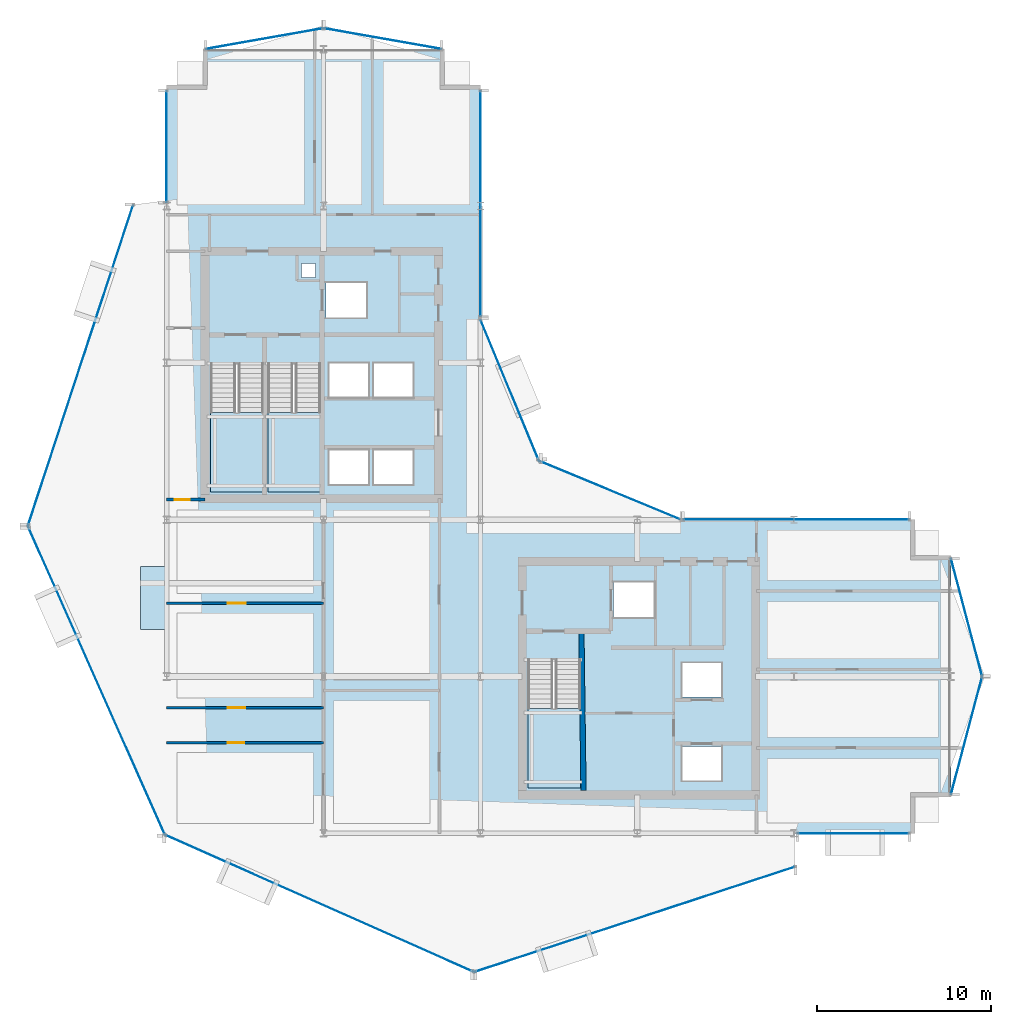
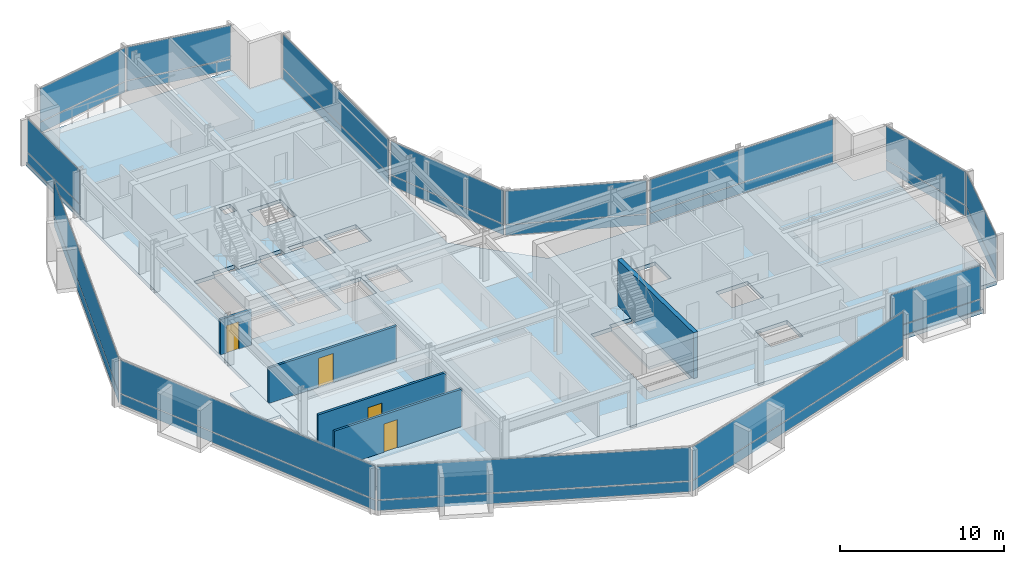
# One storey, part 21 of 29: 28 plates, 5 slabs, 5 walls, 4 doors, 4 openings, 17 elements without a shape of their own.
"""IFC4 building model written with IfcOpenShell, lengths in metres."""

import ifcopenshell
import ifcopenshell.guid

model = None  # the IFC model being written
_history = None  # IfcOwnerHistory: only IFC2X3 demands one
_inside = {}  # id of a spatial element -> (the spatial element, [elements in it])
_under = {}  # id of a project, library or spatial element -> (it, [spatial elements below it])
_declared = {}  # id of a project -> (the project, [libraries it declares])
_typed = {}  # id of a type object -> (the type object, [elements of that type])
_made_of = {}  # id of a material, layer set ... -> (it, [elements and type objects made of it])


def new_model(schema):
    """Start an empty IFC model of exactly this schema.

    Asked for "IFC4X3", IfcOpenShell would pick the latest addendum, in which some entities
    have other attributes; the version numbers below select the first issue.
    IFC2X3 requires an IfcOwnerHistory on every rooted entity: one is made here for all.
    """
    global model, _history
    if schema == "IFC4X3":
        model = ifcopenshell.file(schema_version=(4, 3, 0, 0))
    else:
        model = ifcopenshell.file(schema=schema)
    _inside.clear()
    _under.clear()
    _declared.clear()
    _typed.clear()
    _made_of.clear()
    _history = None
    if model.schema == "IFC2X3":
        org = make("IfcOrganization", Name="unknown")
        user = make(
            "IfcPersonAndOrganization",
            ThePerson=make("IfcPerson", FamilyName="unknown"),
            TheOrganization=org,
        )
        app = make(
            "IfcApplication",
            ApplicationDeveloper=org,
            Version="unknown",
            ApplicationFullName="unknown",
            ApplicationIdentifier="unknown",
        )
        _history = make(
            "IfcOwnerHistory",
            OwningUser=user,
            OwningApplication=app,
            ChangeAction="ADDED",
            CreationDate=0,
        )
    return model


def make(cls, **values):
    """One entity of the class cls with the attributes given. An attribute that is None is left unset."""
    return model.create_entity(
        cls, **{name: value for name, value in values.items() if value is not None}
    )


def rooted(cls, **values):
    """An entity with a GlobalId (a new one), such as an element, a storey or a relation."""
    return make(cls, GlobalId=ifcopenshell.guid.new(), OwnerHistory=_history, **values)


def si_unit(unit_type, name, prefix=None):
    """IfcSIUnit, for example si_unit("LENGTHUNIT", "METRE", prefix="MILLI")."""
    return make("IfcSIUnit", UnitType=unit_type, Prefix=prefix, Name=name)


def assignment(units):
    """IfcUnitAssignment: the units of a project."""
    return None if units is None else make("IfcUnitAssignment", Units=units)


def point(xyz):
    """IfcCartesianPoint."""
    return None if xyz is None else make("IfcCartesianPoint", Coordinates=xyz)


def direction(xyz):
    """IfcDirection."""
    return None if xyz is None else make("IfcDirection", DirectionRatios=xyz)


def frame(location, z_axis=None, x_axis=None):
    """IfcAxis2Placement3D, a coordinate frame: its origin and axes. An axis left out is left unset."""
    return make(
        "IfcAxis2Placement3D",
        Location=point(location),
        Axis=direction(z_axis),
        RefDirection=direction(x_axis),
    )


def frame_2d(location, x_axis=None):
    """IfcAxis2Placement2D, a coordinate frame in the plane: its origin and x axis."""
    return make(
        "IfcAxis2Placement2D", Location=point(location), RefDirection=direction(x_axis)
    )


def origin():
    """The frame at (0, 0, 0) with its axes left unset."""
    return frame((0.0, 0.0, 0.0))


def origin_2d():
    """The frame at (0, 0) in the plane with its x axis left unset."""
    return frame_2d((0.0, 0.0))


def place(relative_to, where):
    """IfcLocalPlacement: puts the frame where relative to a parent placement (None: the world)."""
    return make(
        "IfcLocalPlacement", PlacementRelTo=relative_to, RelativePlacement=where
    )


def context(
    kind, dimensions, precision=None, world=None, true_north=None, identifier=None
):
    """IfcGeometricRepresentationContext, for example the 3D "Model" context."""
    return make(
        "IfcGeometricRepresentationContext",
        ContextIdentifier=identifier,
        ContextType=kind,
        CoordinateSpaceDimension=dimensions,
        Precision=precision,
        WorldCoordinateSystem=world,
        TrueNorth=true_north,
    )


def subcontext(parent, identifier, kind, view, scale=None):
    """IfcGeometricRepresentationSubContext, for example "Body" below "Model"."""
    return make(
        "IfcGeometricRepresentationSubContext",
        ContextIdentifier=identifier,
        ContextType=kind,
        ParentContext=parent,
        TargetScale=scale,
        TargetView=view,
    )


def project(units=None, contexts=None):
    """IfcProject with its units and contexts."""
    return rooted(
        "IfcProject",
        Name="project",
        RepresentationContexts=contexts,
        UnitsInContext=assignment(units),
    )


def spatial(cls, under=None, at=None, **own):
    """A site, building, storey or space (cls), placed at a placement, below another one or the project."""
    s = rooted(cls, ObjectPlacement=at, **own)
    if under is not None:
        _under.setdefault(under.id(), (under, []))[1].append(s)
    return s


def polyline(points):
    """IfcPolyline through the points."""
    return make("IfcPolyline", Points=[point(p) for p in points])


def profile(cls, at=None, kind="AREA", **sizes):
    """A parametric profile (cls). Its sizes go by their IFC names, for example OverallWidth=200.0."""
    return make(cls, ProfileType=kind, Position=at, **sizes)


def rectangle(**sizes):
    """IfcRectangleProfileDef."""
    return profile("IfcRectangleProfileDef", **sizes)


def outline(outer, holes=None, kind="AREA"):
    """IfcArbitraryClosedProfileDef: a profile drawn as a closed curve; with holes, ...WithVoids."""
    if holes is None:
        return make("IfcArbitraryClosedProfileDef", ProfileType=kind, OuterCurve=outer)
    return make(
        "IfcArbitraryProfileDefWithVoids",
        ProfileType=kind,
        OuterCurve=outer,
        InnerCurves=holes,
    )


def extrude(swept, where, along, depth):
    """IfcExtrudedAreaSolid: the profile swept, set in the frame where, extruded along a direction by depth."""
    return make(
        "IfcExtrudedAreaSolid",
        SweptArea=swept,
        Position=where,
        ExtrudedDirection=direction(along),
        Depth=depth,
    )


def shape(context_of_items, identifier, shape_type, items):
    """IfcShapeRepresentation: the items that make up one representation, for example the "Body"."""
    return make(
        "IfcShapeRepresentation",
        ContextOfItems=context_of_items,
        RepresentationIdentifier=identifier,
        RepresentationType=shape_type,
        Items=items,
    )


def material(Name=None, Category=None):
    """IfcMaterial."""
    return make("IfcMaterial", Name=Name, Category=Category)


def layer(
    of_material, thickness, ventilated=None, Name=None, Category=None, Priority=None
):
    """IfcMaterialLayer: one layer of a wall or slab, of a material (None: an air gap)."""
    return make(
        "IfcMaterialLayer",
        Material=of_material,
        LayerThickness=thickness,
        IsVentilated=ventilated,
        Name=Name,
        Category=Category,
        Priority=Priority,
    )


def layer_set(layers, Name=None):
    """IfcMaterialLayerSet."""
    return make("IfcMaterialLayerSet", MaterialLayers=layers, LayerSetName=Name)


def made_of(thing, what):
    """Note that an element or type object is made of a material, layer set ...; save() writes the relation."""
    if what is not None:
        _made_of.setdefault(what.id(), (what, []))[1].append(thing)
    return thing


def type_object(cls, material=None, **own):
    """A type object (cls), such as IfcWallType, which elements share."""
    return made_of(rooted(cls, **own), material)


def element(
    cls,
    number,
    at=None,
    inside=None,
    cuts=None,
    type_object=None,
    material=None,
    context=None,
    identifier="Body",
    shape_type=None,
    held_by="IfcProductDefinitionShape",
    body=None,
    shapes=None,
    **own,
):
    """One element of the class cls, such as IfcWall. Its Tag is "e" and its number.

    at: its placement. inside: the storey or other place that contains it. cuts: it is an
    opening in that element (IfcRelVoidsElement). A single representation is given by context,
    identifier, shape_type and body (its items); several are given by shapes. held_by: the class
    of the entity that holds the representations. save() writes the other relations.
    """
    e = rooted(cls, Tag="e%d" % number, ObjectPlacement=at, **own)
    if body is not None:
        shapes = [shape(context, identifier, shape_type, body)]
    if shapes is not None:
        e.Representation = make(held_by, Representations=shapes)
    if inside is not None:
        _inside.setdefault(inside.id(), (inside, []))[1].append(e)
    if cuts is not None:
        rooted(
            "IfcRelVoidsElement", RelatingBuildingElement=cuts, RelatedOpeningElement=e
        )
    if type_object is not None:
        _typed.setdefault(type_object.id(), (type_object, []))[1].append(e)
    return made_of(e, material)


def fill(opening, filler):
    """IfcRelFillsElement: the door or window that sits in an opening."""
    return rooted(
        "IfcRelFillsElement",
        RelatingOpeningElement=opening,
        RelatedBuildingElement=filler,
    )


def aggregate(whole, parts):
    """IfcRelAggregates: a whole, such as a stair, and the parts it consists of."""
    return rooted("IfcRelAggregates", RelatingObject=whole, RelatedObjects=parts)


def save(model, path):
    """Write the relations noted so far, then the file.

    IfcRelAggregates (storeys below a building ...), IfcRelContainedInSpatialStructure (elements
    in a storey), IfcRelDefinesByType, IfcRelAssociatesMaterial and IfcRelDeclares: one each for
    every whole, place, type object, material and project.
    """
    for whole, parts in _under.values():
        aggregate(whole, parts)
    for where, things in _inside.values():
        rooted(
            "IfcRelContainedInSpatialStructure",
            RelatedElements=things,
            RelatingStructure=where,
        )
    for kind, things in _typed.values():
        rooted("IfcRelDefinesByType", RelatedObjects=things, RelatingType=kind)
    for what, things in _made_of.values():
        rooted("IfcRelAssociatesMaterial", RelatedObjects=things, RelatingMaterial=what)
    for by, libraries in _declared.values():
        rooted("IfcRelDeclares", RelatingContext=by, RelatedDefinitions=libraries)
    model.write(path)


model = new_model("IFC4")

# Units and contexts
model_context = context("Model", 3, precision=1e-05, world=origin(), true_north=direction((0.0, 1.0)))
body_context = subcontext(model_context, "Body", "Model", "MODEL_VIEW")
ifc_project = project(units=[si_unit("LENGTHUNIT", "METRE"), si_unit("AREAUNIT", "SQUARE_METRE"), si_unit("VOLUMEUNIT", "CUBIC_METRE"), si_unit("PLANEANGLEUNIT", "RADIAN"), si_unit("MASSUNIT", "GRAM", prefix="KILO")], contexts=[model_context])

# Site, building, storey
site_placement = place(None, origin())
site = spatial("IfcSite", under=ifc_project, at=site_placement, CompositionType="ELEMENT")
building_placement = place(site_placement, origin())
building = spatial("IfcBuilding", under=site, at=building_placement, Name="Solvaryn Broadcast Tower", CompositionType="ELEMENT")
storey_placement = place(building_placement, frame((0.0, 0.0, 143.300048828125)))
storey = spatial("IfcBuildingStorey", under=building, at=storey_placement, Name="L35", CompositionType="ELEMENT", Elevation=143.300048828125)

# Curtain wall, plates
ifc_material_1 = material(Name="Aluminium and Terracotta Unitised Curtain Wall", Category="masonry")
ifc_layer_1 = layer(ifc_material_1, 0.199951171875)
ifc_layer_set_1 = layer_set([ifc_layer_1], Name="CW-SYS2-LOWMID")
curtain_wall_type = type_object("IfcCurtainWallType", Name="CW-SYS2-LOWMID", PredefinedType="NOTDEFINED", material=ifc_layer_set_1)
curtain_wall_1_placement = place(storey_placement, origin())
curtain_wall_1 = element("IfcCurtainWall", 1, at=curtain_wall_1_placement, inside=storey, type_object=curtain_wall_type, Name="L35 Curtain Wall DR1", PredefinedType="NOTDEFINED")
ifc_material_2 = material(Name="Low-Iron Insulated Vision Glass", Category="glass")
ifc_layer_2 = layer(ifc_material_2, 0.035888671875)
ifc_layer_set_2 = layer_set([ifc_layer_2], Name="CW-PNL-VISION")
plate_type = type_object("IfcPlateType", Name="CW-PNL-VISION", PredefinedType="CURTAIN_PANEL", material=ifc_layer_set_2)
plate_1_placement = place(storey_placement, frame((4.056396484375, 35.8515625, 0.06005859375), z_axis=(0.0, 0.0, 1.0), x_axis=(-0.311646057547, -0.950198260794, 0.0)))
plate_1 = element("IfcPlate", 2, at=plate_1_placement, type_object=plate_type, Name="CWS2 panel 1.1", PredefinedType="CURTAIN_PANEL", context=body_context, shape_type="SweptSolid", body=[
    extrude(rectangle(XDim=19.277099609375, YDim=0.028076171875, at=origin_2d()), origin(), (0.0, 0.0, 1.0), 0.760009765625),
])
plate_2_placement = place(storey_placement, frame((4.056396484375, 35.8515625, 0.8798828125), z_axis=(0.0, 0.0, 1.0), x_axis=(-0.311646057547, -0.950198260794, 0.0)))
plate_2 = element("IfcPlate", 3, at=plate_2_placement, type_object=plate_type, Name="CWS2 panel 1.2", PredefinedType="CURTAIN_PANEL", context=body_context, shape_type="SweptSolid", body=[
    extrude(rectangle(XDim=19.277099609375, YDim=0.028076171875, at=origin_2d()), origin(), (0.0, 0.0, 1.0), 2.47998046875),
])
aggregate(curtain_wall_1, [plate_1, plate_2])

curtain_wall_2_placement = place(storey_placement, origin())
curtain_wall_2 = element("IfcCurtainWall", 4, at=curtain_wall_2_placement, inside=storey, type_object=curtain_wall_type, Name="L35 Curtain Wall DR2", PredefinedType="NOTDEFINED")
plate_3_placement = place(storey_placement, frame((4.970947265625, 17.77197265625, 0.06005859375), z_axis=(0.0, 0.0, 1.0), x_axis=(0.405918429309, -0.913909311008, 0.0)))
plate_3 = element("IfcPlate", 5, at=plate_3_placement, type_object=plate_type, Name="CWS2 panel 1.1", PredefinedType="CURTAIN_PANEL", context=body_context, shape_type="SweptSolid", body=[
    extrude(rectangle(XDim=19.278076171875, YDim=0.028076171875, at=origin_2d()), origin(), (0.0, 0.0, 1.0), 0.760009765625),
])
plate_4_placement = place(storey_placement, frame((4.970947265625, 17.77197265625, 0.8798828125), z_axis=(0.0, 0.0, 1.0), x_axis=(0.405918429309, -0.913909311008, 0.0)))
plate_4 = element("IfcPlate", 6, at=plate_4_placement, type_object=plate_type, Name="CWS2 panel 1.2", PredefinedType="CURTAIN_PANEL", context=body_context, shape_type="SweptSolid", body=[
    extrude(rectangle(XDim=19.278076171875, YDim=0.028076171875, at=origin_2d()), origin(), (0.0, 0.0, 1.0), 2.47998046875),
])
aggregate(curtain_wall_2, [plate_3, plate_4])

curtain_wall_3_placement = place(storey_placement, origin())
curtain_wall_3 = element("IfcCurtainWall", 7, at=curtain_wall_3_placement, inside=storey, type_object=curtain_wall_type, Name="L35 Curtain Wall DR3", PredefinedType="NOTDEFINED")
plate_5_placement = place(storey_placement, frame((17.77197265625, 4.970947265625, 0.06005859375), z_axis=(0.0, 0.0, 1.0), x_axis=(0.913909311008, -0.405918429309, 0.0)))
plate_5 = element("IfcPlate", 8, at=plate_5_placement, type_object=plate_type, Name="CWS2 panel 1.1", PredefinedType="CURTAIN_PANEL", context=body_context, shape_type="SweptSolid", body=[
    extrude(rectangle(XDim=19.278076171875, YDim=0.028076171875, at=origin_2d()), origin(), (0.0, 0.0, 1.0), 0.760009765625),
])
plate_6_placement = place(storey_placement, frame((17.77197265625, 4.970947265625, 0.8798828125), z_axis=(0.0, 0.0, 1.0), x_axis=(0.913909311008, -0.405918429309, 0.0)))
plate_6 = element("IfcPlate", 9, at=plate_6_placement, type_object=plate_type, Name="CWS2 panel 1.2", PredefinedType="CURTAIN_PANEL", context=body_context, shape_type="SweptSolid", body=[
    extrude(rectangle(XDim=19.278076171875, YDim=0.028076171875, at=origin_2d()), origin(), (0.0, 0.0, 1.0), 2.47998046875),
])
aggregate(curtain_wall_3, [plate_5, plate_6])

curtain_wall_4_placement = place(storey_placement, origin())
curtain_wall_4 = element("IfcCurtainWall", 10, at=curtain_wall_4_placement, inside=storey, type_object=curtain_wall_type, Name="L35 Curtain Wall DR4", PredefinedType="NOTDEFINED")
plate_7_placement = place(storey_placement, frame((35.8515625, 4.056396484375, 0.06005859375), z_axis=(0.0, 0.0, 1.0), x_axis=(0.950198260794, 0.311646057547, 0.0)))
plate_7 = element("IfcPlate", 11, at=plate_7_placement, type_object=plate_type, Name="CWS2 panel 1.1", PredefinedType="CURTAIN_PANEL", context=body_context, shape_type="SweptSolid", body=[
    extrude(rectangle(XDim=19.277099609375, YDim=0.028076171875, at=origin_2d()), origin(), (0.0, 0.0, 1.0), 0.760009765625),
])
plate_8_placement = place(storey_placement, frame((35.8515625, 4.056396484375, 0.8798828125), z_axis=(0.0, 0.0, 1.0), x_axis=(0.950198260794, 0.311646057547, 0.0)))
plate_8 = element("IfcPlate", 12, at=plate_8_placement, type_object=plate_type, Name="CWS2 panel 1.2", PredefinedType="CURTAIN_PANEL", context=body_context, shape_type="SweptSolid", body=[
    extrude(rectangle(XDim=19.277099609375, YDim=0.028076171875, at=origin_2d()), origin(), (0.0, 0.0, 1.0), 2.47998046875),
])
aggregate(curtain_wall_4, [plate_7, plate_8])

curtain_wall_5_placement = place(storey_placement, origin())
curtain_wall_5 = element("IfcCurtainWall", 13, at=curtain_wall_5_placement, inside=storey, type_object=curtain_wall_type, Name="L35 Curtain Wall W2", PredefinedType="NOTDEFINED")
plate_9_placement = place(storey_placement, frame((9.0, 48.408447265625, 0.06005859375), z_axis=(0.0, 0.0, 1.0), x_axis=(0.0, 1.0, 0.0)))
plate_9 = element("IfcPlate", 14, at=plate_9_placement, type_object=plate_type, Name="CWS2 panel 1.1", PredefinedType="CURTAIN_PANEL", context=body_context, shape_type="SweptSolid", body=[
    extrude(rectangle(XDim=6.363037109375, YDim=0.028076171875, at=origin_2d()), origin(), (0.0, 0.0, 1.0), 0.760009765625),
])
plate_10_placement = place(storey_placement, frame((9.0, 48.408447265625, 0.8798828125), z_axis=(0.0, 0.0, 1.0), x_axis=(0.0, 1.0, 0.0)))
plate_10 = element("IfcPlate", 15, at=plate_10_placement, type_object=plate_type, Name="CWS2 panel 1.2", PredefinedType="CURTAIN_PANEL", context=body_context, shape_type="SweptSolid", body=[
    extrude(rectangle(XDim=6.363037109375, YDim=0.028076171875, at=origin_2d()), origin(), (0.0, 0.0, 1.0), 2.47998046875),
])
aggregate(curtain_wall_5, [plate_9, plate_10])

curtain_wall_6_placement = place(storey_placement, origin())
curtain_wall_6 = element("IfcCurtainWall", 16, at=curtain_wall_6_placement, inside=storey, type_object=curtain_wall_type, Name="L35 Curtain Wall IV", PredefinedType="NOTDEFINED")
plate_11_placement = place(storey_placement, frame((27.0, 45.125, 0.06005859375), z_axis=(0.0, 0.0, 1.0), x_axis=(0.0, -1.0, 0.0)))
plate_11 = element("IfcPlate", 17, at=plate_11_placement, type_object=plate_type, Name="CWS2 panel 1.1", PredefinedType="CURTAIN_PANEL", context=body_context, shape_type="SweptSolid", body=[
    extrude(rectangle(XDim=12.929931640625, YDim=0.028076171875, at=origin_2d()), origin(), (0.0, 0.0, 1.0), 0.760009765625),
])
plate_12_placement = place(storey_placement, frame((27.0, 45.125, 0.8798828125), z_axis=(0.0, 0.0, 1.0), x_axis=(0.0, -1.0, 0.0)))
plate_12 = element("IfcPlate", 18, at=plate_12_placement, type_object=plate_type, Name="CWS2 panel 1.2", PredefinedType="CURTAIN_PANEL", context=body_context, shape_type="SweptSolid", body=[
    extrude(rectangle(XDim=12.929931640625, YDim=0.028076171875, at=origin_2d()), origin(), (0.0, 0.0, 1.0), 2.47998046875),
])
aggregate(curtain_wall_6, [plate_11, plate_12])

curtain_wall_7_placement = place(storey_placement, origin())
curtain_wall_7 = element("IfcCurtainWall", 19, at=curtain_wall_7_placement, inside=storey, type_object=curtain_wall_type, Name="L35 Curtain Wall CN1", PredefinedType="NOTDEFINED")
plate_13_placement = place(storey_placement, frame((34.43408203125, 28.68408203125, 0.06005859375), z_axis=(0.0, 0.0, 1.0), x_axis=(-0.923894983957, 0.382646127145, 0.0)))
plate_13 = element("IfcPlate", 20, at=plate_13_placement, type_object=plate_type, Name="CWS2 panel 1.1", PredefinedType="CURTAIN_PANEL", context=body_context, shape_type="SweptSolid", body=[
    extrude(rectangle(XDim=8.681884765625, YDim=0.028076171875, at=origin_2d()), origin(), (0.0, 0.0, 1.0), 0.760009765625),
])
plate_14_placement = place(storey_placement, frame((34.43408203125, 28.68408203125, 0.8798828125), z_axis=(0.0, 0.0, 1.0), x_axis=(-0.923894983957, 0.382646127145, 0.0)))
plate_14 = element("IfcPlate", 21, at=plate_14_placement, type_object=plate_type, Name="CWS2 panel 1.2", PredefinedType="CURTAIN_PANEL", context=body_context, shape_type="SweptSolid", body=[
    extrude(rectangle(XDim=8.681884765625, YDim=0.028076171875, at=origin_2d()), origin(), (0.0, 0.0, 1.0), 2.47998046875),
])
aggregate(curtain_wall_7, [plate_13, plate_14])

curtain_wall_8_placement = place(storey_placement, origin())
curtain_wall_8 = element("IfcCurtainWall", 22, at=curtain_wall_8_placement, inside=storey, type_object=curtain_wall_type, Name="L35 Curtain Wall CN2", PredefinedType="NOTDEFINED")
plate_15_placement = place(storey_placement, frame((28.68408203125, 34.43408203125, 0.06005859375), z_axis=(0.0, 0.0, 1.0), x_axis=(-0.382646127145, 0.923894983957, 0.0)))
plate_15 = element("IfcPlate", 23, at=plate_15_placement, type_object=plate_type, Name="CWS2 panel 1.1", PredefinedType="CURTAIN_PANEL", context=body_context, shape_type="SweptSolid", body=[
    extrude(rectangle(XDim=8.681884765625, YDim=0.028076171875, at=origin_2d()), origin(), (0.0, 0.0, 1.0), 0.760009765625),
])
plate_16_placement = place(storey_placement, frame((28.68408203125, 34.43408203125, 0.8798828125), z_axis=(0.0, 0.0, 1.0), x_axis=(-0.382646127145, 0.923894983957, 0.0)))
plate_16 = element("IfcPlate", 24, at=plate_16_placement, type_object=plate_type, Name="CWS2 panel 1.2", PredefinedType="CURTAIN_PANEL", context=body_context, shape_type="SweptSolid", body=[
    extrude(rectangle(XDim=8.681884765625, YDim=0.028076171875, at=origin_2d()), origin(), (0.0, 0.0, 1.0), 2.47998046875),
])
aggregate(curtain_wall_8, [plate_15, plate_16])

curtain_wall_9_placement = place(storey_placement, origin())
curtain_wall_9 = element("IfcCurtainWall", 25, at=curtain_wall_9_placement, inside=storey, type_object=curtain_wall_type, Name="L35 Curtain Wall S2", PredefinedType="NOTDEFINED")
plate_17_placement = place(storey_placement, frame((48.408447265625, 9.0, 0.06005859375), z_axis=(0.0, 0.0, 1.0), x_axis=(1.0, 0.0, 0.0)))
plate_17 = element("IfcPlate", 26, at=plate_17_placement, type_object=plate_type, Name="CWS2 panel 1.1", PredefinedType="CURTAIN_PANEL", context=body_context, shape_type="SweptSolid", body=[
    extrude(rectangle(XDim=6.363037109375, YDim=0.028076171875, at=origin_2d()), origin(), (0.0, 0.0, 1.0), 0.760009765625),
])
plate_18_placement = place(storey_placement, frame((48.408447265625, 9.0, 0.8798828125), z_axis=(0.0, 0.0, 1.0), x_axis=(1.0, 0.0, 0.0)))
plate_18 = element("IfcPlate", 27, at=plate_18_placement, type_object=plate_type, Name="CWS2 panel 1.2", PredefinedType="CURTAIN_PANEL", context=body_context, shape_type="SweptSolid", body=[
    extrude(rectangle(XDim=6.363037109375, YDim=0.028076171875, at=origin_2d()), origin(), (0.0, 0.0, 1.0), 2.47998046875),
])
aggregate(curtain_wall_9, [plate_17, plate_18])

curtain_wall_10_placement = place(storey_placement, origin())
curtain_wall_10 = element("IfcCurtainWall", 28, at=curtain_wall_10_placement, inside=storey, type_object=curtain_wall_type, Name="L35 Curtain Wall NT1", PredefinedType="NOTDEFINED")
plate_19_placement = place(storey_placement, frame((21.39990234375, 54.60009765625, 0.06005859375), z_axis=(0.0, 0.0, 1.0), x_axis=(-0.984783558819, 0.173785333901, 0.0)))
plate_19 = element("IfcPlate", 29, at=plate_19_placement, type_object=plate_type, Name="CWS2 panel 1.1", PredefinedType="CURTAIN_PANEL", context=body_context, shape_type="SweptSolid", body=[
    extrude(rectangle(XDim=6.78515625, YDim=0.028076171875, at=origin_2d()), origin(), (0.0, 0.0, 1.0), 0.760009765625),
])
plate_20_placement = place(storey_placement, frame((21.39990234375, 54.60009765625, 0.8798828125), z_axis=(0.0, 0.0, 1.0), x_axis=(-0.984783558819, 0.173785333901, 0.0)))
plate_20 = element("IfcPlate", 30, at=plate_20_placement, type_object=plate_type, Name="CWS2 panel 1.2", PredefinedType="CURTAIN_PANEL", context=body_context, shape_type="SweptSolid", body=[
    extrude(rectangle(XDim=6.78515625, YDim=0.028076171875, at=origin_2d()), origin(), (0.0, 0.0, 1.0), 2.47998046875),
])
aggregate(curtain_wall_10, [plate_19, plate_20])

curtain_wall_11_placement = place(storey_placement, origin())
curtain_wall_11 = element("IfcCurtainWall", 31, at=curtain_wall_11_placement, inside=storey, type_object=curtain_wall_type, Name="L35 Curtain Wall NT2", PredefinedType="NOTDEFINED")
plate_21_placement = place(storey_placement, frame((14.60009765625, 54.60009765625, 0.06005859375), z_axis=(0.0, 0.0, 1.0), x_axis=(-0.984783558819, -0.173785333901, 0.0)))
plate_21 = element("IfcPlate", 32, at=plate_21_placement, type_object=plate_type, Name="CWS2 panel 1.1", PredefinedType="CURTAIN_PANEL", context=body_context, shape_type="SweptSolid", body=[
    extrude(rectangle(XDim=6.78515625, YDim=0.028076171875, at=origin_2d()), origin(), (0.0, 0.0, 1.0), 0.760009765625),
])
plate_22_placement = place(storey_placement, frame((14.60009765625, 54.60009765625, 0.8798828125), z_axis=(0.0, 0.0, 1.0), x_axis=(-0.984783558819, -0.173785333901, 0.0)))
plate_22 = element("IfcPlate", 33, at=plate_22_placement, type_object=plate_type, Name="CWS2 panel 1.2", PredefinedType="CURTAIN_PANEL", context=body_context, shape_type="SweptSolid", body=[
    extrude(rectangle(XDim=6.78515625, YDim=0.028076171875, at=origin_2d()), origin(), (0.0, 0.0, 1.0), 2.47998046875),
])
aggregate(curtain_wall_11, [plate_21, plate_22])

curtain_wall_12_placement = place(storey_placement, origin())
curtain_wall_12 = element("IfcCurtainWall", 34, at=curtain_wall_12_placement, inside=storey, type_object=curtain_wall_type, Name="L35 Curtain Wall ET1", PredefinedType="NOTDEFINED")
plate_23_placement = place(storey_placement, frame((54.89990234375, 21.39990234375, 0.06005859375), z_axis=(0.0, 0.0, 1.0), x_axis=(0.25589256031, -0.966705227863, 0.0)))
plate_23 = element("IfcPlate", 35, at=plate_23_placement, type_object=plate_type, Name="CWS2 panel 1.1", PredefinedType="CURTAIN_PANEL", context=body_context, shape_type="SweptSolid", body=[
    extrude(rectangle(XDim=6.914306640625, YDim=0.028076171875, at=origin_2d()), origin(), (0.0, 0.0, 1.0), 0.760009765625),
])
plate_24_placement = place(storey_placement, frame((54.89990234375, 21.39990234375, 0.8798828125), z_axis=(0.0, 0.0, 1.0), x_axis=(0.25589256031, -0.966705227863, 0.0)))
plate_24 = element("IfcPlate", 36, at=plate_24_placement, type_object=plate_type, Name="CWS2 panel 1.2", PredefinedType="CURTAIN_PANEL", context=body_context, shape_type="SweptSolid", body=[
    extrude(rectangle(XDim=6.914306640625, YDim=0.028076171875, at=origin_2d()), origin(), (0.0, 0.0, 1.0), 2.47998046875),
])
aggregate(curtain_wall_12, [plate_23, plate_24])

curtain_wall_13_placement = place(storey_placement, origin())
curtain_wall_13 = element("IfcCurtainWall", 37, at=curtain_wall_13_placement, inside=storey, type_object=curtain_wall_type, Name="L35 Curtain Wall ET2", PredefinedType="NOTDEFINED")
plate_25_placement = place(storey_placement, frame((54.89990234375, 14.60009765625, 0.06005859375), z_axis=(0.0, 0.0, 1.0), x_axis=(-0.25589256031, -0.966705227863, 0.0)))
plate_25 = element("IfcPlate", 38, at=plate_25_placement, type_object=plate_type, Name="CWS2 panel 1.1", PredefinedType="CURTAIN_PANEL", context=body_context, shape_type="SweptSolid", body=[
    extrude(rectangle(XDim=6.914306640625, YDim=0.028076171875, at=origin_2d()), origin(), (0.0, 0.0, 1.0), 0.760009765625),
])
plate_26_placement = place(storey_placement, frame((54.89990234375, 14.60009765625, 0.8798828125), z_axis=(0.0, 0.0, 1.0), x_axis=(-0.25589256031, -0.966705227863, 0.0)))
plate_26 = element("IfcPlate", 39, at=plate_26_placement, type_object=plate_type, Name="CWS2 panel 1.2", PredefinedType="CURTAIN_PANEL", context=body_context, shape_type="SweptSolid", body=[
    extrude(rectangle(XDim=6.914306640625, YDim=0.028076171875, at=origin_2d()), origin(), (0.0, 0.0, 1.0), 2.47998046875),
])
aggregate(curtain_wall_13, [plate_25, plate_26])

curtain_wall_14_placement = place(storey_placement, origin())
curtain_wall_14 = element("IfcCurtainWall", 40, at=curtain_wall_14_placement, inside=storey, type_object=curtain_wall_type, Name="L35 Curtain Wall IH", PredefinedType="NOTDEFINED")
plate_27_placement = place(storey_placement, frame((45.125, 27.0, 0.06005859375), z_axis=(0.0, 0.0, 1.0), x_axis=(1.0, 0.0, 0.0)))
plate_27 = element("IfcPlate", 41, at=plate_27_placement, type_object=plate_type, Name="CWS2 panel 1.1", PredefinedType="CURTAIN_PANEL", context=body_context, shape_type="SweptSolid", body=[
    extrude(rectangle(XDim=12.929931640625, YDim=0.028076171875, at=origin_2d()), origin(), (0.0, 0.0, 1.0), 0.760009765625),
])
plate_28_placement = place(storey_placement, frame((45.125, 27.0, 0.8798828125), z_axis=(0.0, 0.0, 1.0), x_axis=(1.0, 0.0, 0.0)))
plate_28 = element("IfcPlate", 42, at=plate_28_placement, type_object=plate_type, Name="CWS2 panel 1.2", PredefinedType="CURTAIN_PANEL", context=body_context, shape_type="SweptSolid", body=[
    extrude(rectangle(XDim=12.929931640625, YDim=0.028076171875, at=origin_2d()), origin(), (0.0, 0.0, 1.0), 2.47998046875),
])
aggregate(curtain_wall_14, [plate_27, plate_28])

# Slab
ifc_material_3 = material(Name="Concrete f'c 60 MPa", Category="concrete")
ifc_layer_3 = layer(ifc_material_3, 0.2099609375)
ifc_layer_set_3 = layer_set([ifc_layer_3], Name="SL-BAYBOX-210")
slab_type_1 = type_object("IfcSlabType", Name="SL-BAYBOX-210", PredefinedType="FLOOR", material=ifc_layer_set_3)
slab_1_placement = place(storey_placement, frame((0.0, 0.0, -0.2099609375)))
element("IfcSlab", 43, at=slab_1_placement, inside=storey, type_object=slab_type_1, Name="L35 Projecting Bay-Box Slab 1", PredefinedType="FLOOR", context=body_context, shape_type="SweptSolid", body=[
    extrude(outline(polyline([(7.5, 20.699951171875), (9.0, 20.699951171875), (9.0, 24.300048828125), (7.5, 24.300048828125), (7.5, 20.699951171875)])), origin(), (0.0, 0.0, 1.0), 0.2099609375),
])

# Stair, slab
ifc_material_4 = material(Name="Concrete f'c 60 MPa", Category="concrete")
stair_type = type_object("IfcStairType", Name="ST-CORE", PredefinedType="HALF_TURN_STAIR", material=ifc_material_4)
stair_1_placement = place(storey_placement, origin())
stair_1 = element("IfcStair", 44, at=stair_1_placement, inside=storey, type_object=stair_type, Name="L35 ST1", PredefinedType="HALF_TURN_STAIR")
ifc_material_5 = material(Name="Concrete f'c 60 MPa", Category="concrete")
ifc_layer_4 = layer(ifc_material_5, 0.199951171875)
ifc_layer_set_4 = layer_set([ifc_layer_4], Name="SL-LANDING-200")
slab_type_2 = type_object("IfcSlabType", Name="SL-LANDING-200", PredefinedType="LANDING", material=ifc_layer_set_4)
slab_2_placement = place(storey_placement, frame((0.0, 0.0, 1.64990234375)))
slab_2 = element("IfcSlab", 45, at=slab_2_placement, type_object=slab_type_2, Name="ST1 landing 1", PredefinedType="LANDING", context=body_context, shape_type="SweptSolid", body=[
    extrude(outline(polyline([(11.52001953125, 33.159912109375), (11.52001953125, 28.60009765625), (14.550048828125, 28.60009765625), (14.550048828125, 33.159912109375), (11.52001953125, 33.159912109375)])), origin(), (0.0, 0.0, 1.0), 0.199951171875),
])
aggregate(stair_1, [slab_2])

stair_2_placement = place(storey_placement, origin())
stair_2 = element("IfcStair", 46, at=stair_2_placement, inside=storey, type_object=stair_type, Name="L35 ST2", PredefinedType="HALF_TURN_STAIR")
slab_3_placement = place(storey_placement, frame((0.0, 0.0, 1.64990234375)))
slab_3 = element("IfcSlab", 47, at=slab_3_placement, type_object=slab_type_2, Name="ST2 landing 1", PredefinedType="LANDING", context=body_context, shape_type="SweptSolid", body=[
    extrude(outline(polyline([(14.800048828125, 33.159912109375), (14.800048828125, 28.60009765625), (17.830078125, 28.60009765625), (17.830078125, 33.159912109375), (14.800048828125, 33.159912109375)])), origin(), (0.0, 0.0, 1.0), 0.199951171875),
])
aggregate(stair_2, [slab_3])

stair_3_placement = place(storey_placement, origin())
stair_3 = element("IfcStair", 48, at=stair_3_placement, inside=storey, type_object=stair_type, Name="L35 ST3", PredefinedType="HALF_TURN_STAIR")
slab_4_placement = place(storey_placement, frame((0.0, 0.0, 1.64990234375)))
slab_4 = element("IfcSlab", 49, at=slab_4_placement, type_object=slab_type_2, Name="ST3 landing 1", PredefinedType="LANDING", context=body_context, shape_type="SweptSolid", body=[
    extrude(outline(polyline([(29.719970703125, 16.159912109375), (29.719970703125, 11.60009765625), (32.75, 11.60009765625), (32.75, 16.159912109375), (29.719970703125, 16.159912109375)])), origin(), (0.0, 0.0, 1.0), 0.199951171875),
])
aggregate(stair_3, [slab_4])

# Slab
ifc_material_6 = material(Name="Concrete f'c 60 MPa", Category="concrete")
ifc_layer_5 = layer(ifc_material_6, 0.280029296875)
ifc_layer_set_5 = layer_set([ifc_layer_5], Name="SL-TWR-280")
slab_type_3 = type_object("IfcSlabType", Name="SL-TWR-280", PredefinedType="FLOOR", material=ifc_layer_set_5)
slab_5_placement = place(storey_placement, frame((0.0, 0.0, -0.280029296875)))
element("IfcSlab", 50, at=slab_5_placement, inside=storey, type_object=slab_type_3, Name="L35 Structural Floor Slab", PredefinedType="FLOOR", context=body_context, shape_type="SweptSolid", body=[
    extrude(outline(polyline([(11.199951171875, 9.0), (51.800048828125, 9.0), (51.800048828125, 11.199951171875), (54.0, 11.199951171875), (54.0, 24.800048828125), (51.800048828125, 24.800048828125), (51.800048828125, 27.0), (31.5, 27.0), (27.0, 31.5), (27.0, 51.800048828125), (24.800048828125, 51.800048828125), (24.800048828125, 54.0), (11.199951171875, 54.0), (11.199951171875, 51.800048828125), (9.0, 51.800048828125), (9.0, 11.199951171875), (11.199951171875, 11.199951171875), (11.199951171875, 9.0)]), holes=[polyline([(11.52001953125, 28.60009765625), (14.550048828125, 28.60009765625), (14.550048828125, 35.9599609375), (12.97998046875, 35.9599609375), (12.97998046875, 35.679931640625), (11.52001953125, 35.679931640625), (11.52001953125, 28.60009765625)]), polyline([(14.800048828125, 28.60009765625), (17.830078125, 28.60009765625), (17.830078125, 35.9599609375), (16.260009765625, 35.9599609375), (16.260009765625, 35.679931640625), (14.800048828125, 35.679931640625), (14.800048828125, 28.60009765625)]), polyline([(29.719970703125, 11.60009765625), (32.75, 11.60009765625), (32.75, 18.9599609375), (31.179931640625, 18.9599609375), (31.179931640625, 18.679931640625), (29.719970703125, 18.679931640625), (29.719970703125, 11.60009765625)]), polyline([(18.14990234375, 38.60009765625), (20.449951171875, 38.60009765625), (20.449951171875, 40.60009765625), (18.14990234375, 40.60009765625), (18.14990234375, 38.60009765625)]), polyline([(18.324951171875, 29.02490234375), (20.574951171875, 29.02490234375), (20.574951171875, 30.97509765625), (18.324951171875, 30.97509765625), (18.324951171875, 29.02490234375)]), polyline([(20.875, 29.02490234375), (23.125, 29.02490234375), (23.125, 30.97509765625), (20.875, 30.97509765625), (20.875, 29.02490234375)]), polyline([(18.324951171875, 34.02490234375), (20.574951171875, 34.02490234375), (20.574951171875, 35.97509765625), (18.324951171875, 35.97509765625), (18.324951171875, 34.02490234375)]), polyline([(20.875, 34.02490234375), (23.125, 34.02490234375), (23.125, 35.97509765625), (20.875, 35.97509765625), (20.875, 34.02490234375)]), polyline([(34.64990234375, 21.39990234375), (36.949951171875, 21.39990234375), (36.949951171875, 23.39990234375), (34.64990234375, 23.39990234375), (34.64990234375, 21.39990234375)]), polyline([(38.574951171875, 12.02490234375), (40.824951171875, 12.02490234375), (40.824951171875, 13.97509765625), (38.574951171875, 13.97509765625), (38.574951171875, 12.02490234375)]), polyline([(38.574951171875, 16.824951171875), (40.824951171875, 16.824951171875), (40.824951171875, 18.77490234375), (38.574951171875, 18.77490234375), (38.574951171875, 16.824951171875)]), polyline([(16.75, 40.89990234375), (17.550048828125, 40.89990234375), (17.550048828125, 41.699951171875), (16.75, 41.699951171875), (16.75, 40.89990234375)])]), origin(), (0.0, 0.0, 1.0), 0.280029296875),
])

# Wall, opening, door
ifc_material_7 = material(Name="Metal-Stud Gypsum Office Partition")
ifc_layer_6 = layer(ifc_material_7, 0.159912109375)
ifc_layer_set_6 = layer_set([ifc_layer_6], Name="IW-PART-160")
wall_type_1 = type_object("IfcWallType", Name="IW-PART-160", PredefinedType="PARTITIONING", material=ifc_layer_set_6)
wall_1_placement = place(storey_placement, frame((9.0, 28.14990234375, 0.0), z_axis=(0.0, 0.0, 1.0), x_axis=(1.0, 0.0, 0.0)))
wall_1 = element("IfcWall", 51, at=wall_1_placement, inside=storey, type_object=wall_type_1, Name="L35 Interior Partition IW-L35-WM-S", PredefinedType="PARTITIONING", context=body_context, shape_type="SweptSolid", body=[
    extrude(rectangle(XDim=2.199951171875, YDim=0.159912109375, at=frame_2d((1.10009765625, 0.0))), origin(), (0.0, 0.0, 1.0), 2.634033203125),
])
opening_1_placement = place(wall_1_placement, frame((0.449951171875, 0.0, 0.0)))
opening_1 = element("IfcOpeningElement", 52, at=opening_1_placement, cuts=wall_1, Name="Opening ID07", PredefinedType="OPENING", context=body_context, shape_type="SweptSolid", body=[
    extrude(rectangle(XDim=0.860107421875, YDim=2.050048828125, at=frame_2d((0.43017578125, 1.02490234375))), frame((0.0, 0.090087890625, 0.0), z_axis=(0.0, -1.0, 0.0), x_axis=(1.0, 0.0, 0.0)), (0.0, 0.0, 1.0), 0.179931640625),
])
ifc_material_8 = material(Name="Flush Acoustic Steel and Timber Door Assembly", Category="steel")
door_type_1 = type_object("IfcDoorType", Name="ID-07-860X2050", OperationType="NOTDEFINED", PredefinedType="DOOR", material=ifc_material_8)
door_1_placement = place(opening_1_placement, origin())
door_1 = element("IfcDoor", 53, at=door_1_placement, inside=storey, type_object=door_type_1, Name="L35 Door DR-L35-WM0", OperationType="SINGLE_SWING_RIGHT", OverallHeight=2.050048828125, OverallWidth=0.860107421875, PredefinedType="DOOR", context=body_context, shape_type="SweptSolid", body=[
    extrude(rectangle(XDim=0.860107421875, YDim=2.050048828125, at=frame_2d((0.43017578125, 1.02490234375))), frame((0.0, 0.02490234375, 0.0), z_axis=(0.0, -1.0, 0.0), x_axis=(1.0, 0.0, 0.0)), (0.0, 0.0, 1.0), 0.050048828125),
])
fill(opening_1, door_1)

wall_2_placement = place(storey_placement, frame((9.0, 14.199951171875, 0.0), z_axis=(0.0, 0.0, 1.0), x_axis=(1.0, 0.0, 0.0)))
wall_2 = element("IfcWall", 54, at=wall_2_placement, inside=storey, type_object=wall_type_1, Name="L35 Interior Partition IW-L35-SWW-H1", PredefinedType="PARTITIONING", context=body_context, shape_type="SweptSolid", body=[
    extrude(rectangle(XDim=9.0, YDim=0.159912109375, at=frame_2d((4.5, 0.0))), origin(), (0.0, 0.0, 1.0), 2.7919921875),
])
opening_2_placement = place(wall_2_placement, frame((3.5, 0.0, 0.0)))
opening_2 = element("IfcOpeningElement", 55, at=opening_2_placement, cuts=wall_2, Name="Opening ID01", PredefinedType="OPENING", context=body_context, shape_type="SweptSolid", body=[
    extrude(rectangle(XDim=0.949951171875, YDim=2.10009765625, at=frame_2d((0.47509765625, 1.050048828125))), frame((0.0, 0.090087890625, 0.0), z_axis=(0.0, -1.0, 0.0), x_axis=(1.0, 0.0, 0.0)), (0.0, 0.0, 1.0), 0.179931640625),
])
ifc_material_9 = material(Name="Flush Acoustic Steel and Timber Door Assembly", Category="steel")
door_type_2 = type_object("IfcDoorType", Name="ID-01-950X2100", OperationType="NOTDEFINED", PredefinedType="DOOR", material=ifc_material_9)
door_2_placement = place(opening_2_placement, origin())
door_2 = element("IfcDoor", 56, at=door_2_placement, inside=storey, type_object=door_type_2, Name="L35 Door DR-L35-SWW-1", OperationType="SINGLE_SWING_RIGHT", OverallHeight=2.10009765625, OverallWidth=0.949951171875, PredefinedType="DOOR", context=body_context, shape_type="SweptSolid", body=[
    extrude(rectangle(XDim=0.949951171875, YDim=2.10009765625, at=frame_2d((0.47509765625, 1.050048828125))), frame((0.0, 0.02490234375, 0.0), z_axis=(0.0, -1.0, 0.0), x_axis=(1.0, 0.0, 0.0)), (0.0, 0.0, 1.0), 0.050048828125),
])
fill(opening_2, door_2)

wall_3_placement = place(storey_placement, frame((9.0, 16.199951171875, 0.0), z_axis=(0.0, 0.0, 1.0), x_axis=(1.0, 0.0, 0.0)))
wall_3 = element("IfcWall", 57, at=wall_3_placement, inside=storey, type_object=wall_type_1, Name="L35 Interior Partition IW-L35-SWW-H2", PredefinedType="PARTITIONING", context=body_context, shape_type="SweptSolid", body=[
    extrude(rectangle(XDim=9.0, YDim=0.159912109375, at=frame_2d((4.5, 0.0))), origin(), (0.0, 0.0, 1.0), 2.7919921875),
])
opening_3_placement = place(wall_3_placement, frame((3.5, 0.0, 0.0)))
opening_3 = element("IfcOpeningElement", 58, at=opening_3_placement, cuts=wall_3, Name="Opening ID02", PredefinedType="OPENING", context=body_context, shape_type="SweptSolid", body=[
    extrude(rectangle(XDim=1.0, YDim=2.10009765625, at=frame_2d((0.5, 1.050048828125))), frame((0.0, 0.090087890625, 0.0), z_axis=(0.0, -1.0, 0.0), x_axis=(1.0, 0.0, 0.0)), (0.0, 0.0, 1.0), 0.179931640625),
])
ifc_material_10 = material(Name="Flush Acoustic Steel and Timber Door Assembly", Category="steel")
door_type_3 = type_object("IfcDoorType", Name="ID-02-1000X2100", OperationType="NOTDEFINED", PredefinedType="DOOR", material=ifc_material_10)
door_3_placement = place(opening_3_placement, origin())
door_3 = element("IfcDoor", 59, at=door_3_placement, inside=storey, type_object=door_type_3, Name="L35 Door DR-L35-SWW-2", OperationType="SINGLE_SWING_LEFT", OverallHeight=2.10009765625, OverallWidth=1.0, PredefinedType="DOOR", context=body_context, shape_type="SweptSolid", body=[
    extrude(rectangle(XDim=1.0, YDim=2.10009765625, at=frame_2d((0.5, 1.050048828125))), frame((0.0, 0.02490234375, 0.0), z_axis=(0.0, -1.0, 0.0), x_axis=(1.0, 0.0, 0.0)), (0.0, 0.0, 1.0), 0.050048828125),
])
fill(opening_3, door_3)

wall_4_placement = place(storey_placement, frame((9.0, 22.199951171875, 0.0), z_axis=(0.0, 0.0, 1.0), x_axis=(1.0, 0.0, 0.0)))
wall_4 = element("IfcWall", 60, at=wall_4_placement, inside=storey, type_object=wall_type_1, Name="L35 Interior Partition IW-L35-SWW-H3", PredefinedType="PARTITIONING", context=body_context, shape_type="SweptSolid", body=[
    extrude(rectangle(XDim=9.0, YDim=0.159912109375, at=frame_2d((4.5, 0.0))), origin(), (0.0, 0.0, 1.0), 2.634033203125),
])
opening_4_placement = place(wall_4_placement, frame((3.5, 0.0, 0.0)))
opening_4 = element("IfcOpeningElement", 61, at=opening_4_placement, cuts=wall_4, Name="Opening ID03", PredefinedType="OPENING", context=body_context, shape_type="SweptSolid", body=[
    extrude(rectangle(XDim=1.050048828125, YDim=2.14990234375, at=frame_2d((0.52490234375, 1.074951171875))), frame((0.0, 0.090087890625, 0.0), z_axis=(0.0, -1.0, 0.0), x_axis=(1.0, 0.0, 0.0)), (0.0, 0.0, 1.0), 0.179931640625),
])
ifc_material_11 = material(Name="Flush Acoustic Steel and Timber Door Assembly", Category="steel")
door_type_4 = type_object("IfcDoorType", Name="ID-03-1050X2150", OperationType="NOTDEFINED", PredefinedType="DOOR", material=ifc_material_11)
door_4_placement = place(opening_4_placement, origin())
door_4 = element("IfcDoor", 62, at=door_4_placement, inside=storey, type_object=door_type_4, Name="L35 Door DR-L35-SWW-3", OperationType="SINGLE_SWING_RIGHT", OverallHeight=2.14990234375, OverallWidth=1.050048828125, PredefinedType="DOOR", context=body_context, shape_type="SweptSolid", body=[
    extrude(rectangle(XDim=1.050048828125, YDim=2.14990234375, at=frame_2d((0.52490234375, 1.074951171875))), frame((0.0, 0.02490234375, 0.0), z_axis=(0.0, -1.0, 0.0), x_axis=(1.0, 0.0, 0.0)), (0.0, 0.0, 1.0), 0.050048828125),
])
fill(opening_4, door_4)

# Wall
ifc_material_12 = material(Name="Concrete f'c 70 MPa", Category="concrete")
ifc_layer_7 = layer(ifc_material_12, 0.300048828125)
ifc_layer_set_7 = layer_set([ifc_layer_7], Name="SW-SHAFT-300")
wall_type_2 = type_object("IfcWallType", Name="SW-SHAFT-300", PredefinedType="SHEAR", material=ifc_layer_set_7)
wall_5_placement = place(storey_placement, frame((32.919921875, 11.449951171875, 0.0), z_axis=(0.0, 0.0, 1.0), x_axis=(-0.013171578211, 0.999913251001, 0.0)))
element("IfcWall", 63, at=wall_5_placement, inside=storey, type_object=wall_type_2, Name="L35 Stair 3 East Shear Wall", PredefinedType="SHEAR", context=body_context, shape_type="SweptSolid", body=[
    extrude(rectangle(XDim=9.100830078125, YDim=0.300048828125, at=frame_2d((4.55029296875, 0.0))), origin(), (0.0, 0.0, 1.0), 3.419921875),
])

save(model, "model.ifc")
